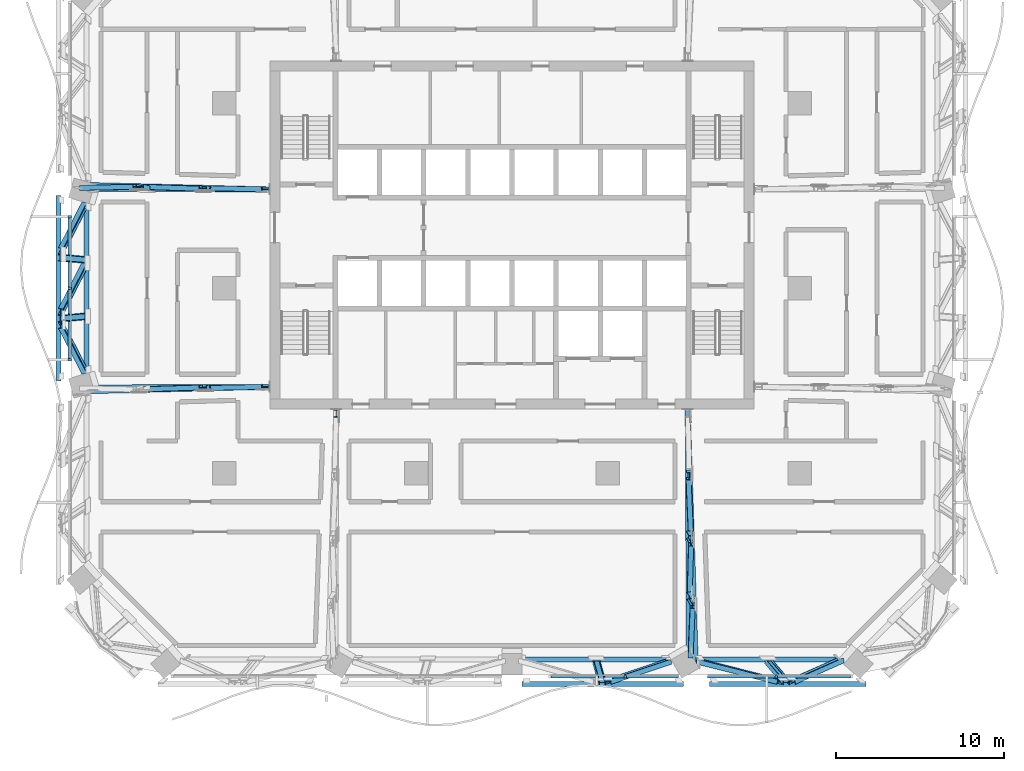
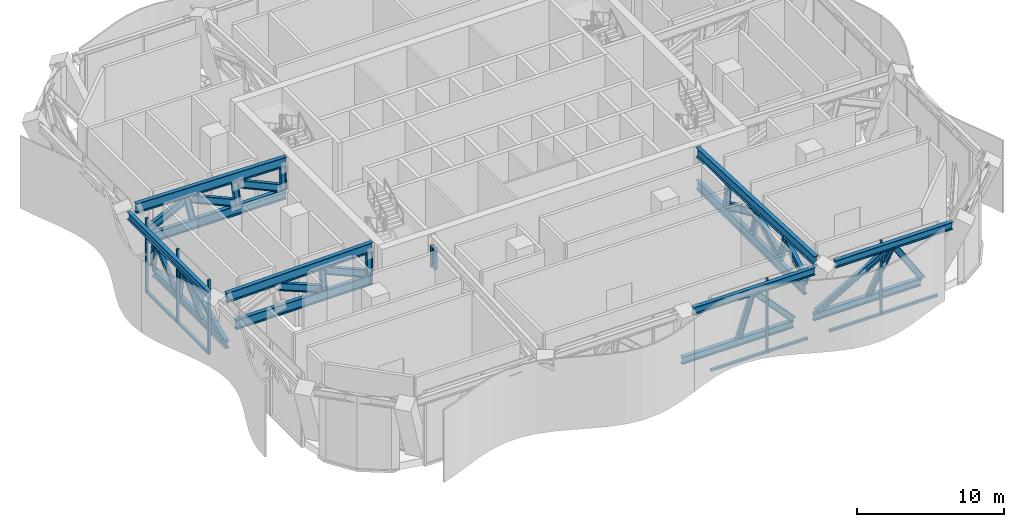
# One storey, part 3 of 26: 50 members, 2 elements without a shape of their own.
"""IFC4 building model written with IfcOpenShell, lengths in metres."""

from ifc_helpers import new_model, si_unit, direction, frame, origin, origin_2d, place, context, subcontext, project, spatial, rectangle, i_section, extrude, material, material_profile, profile_set, type_object, element, aggregate, save


model = new_model("IFC4")

# Units and contexts
model_context = context("Model", 3, precision=1e-05, world=origin(), true_north=direction((0.0, 1.0)))
body_context = subcontext(model_context, "Body", "Model", "MODEL_VIEW")
ifc_project = project(units=[si_unit("LENGTHUNIT", "METRE"), si_unit("AREAUNIT", "SQUARE_METRE"), si_unit("VOLUMEUNIT", "CUBIC_METRE"), si_unit("PLANEANGLEUNIT", "RADIAN"), si_unit("MASSUNIT", "GRAM", prefix="KILO")], contexts=[model_context])

# Site, building, storey
site_placement = place(None, origin())
site = spatial("IfcSite", under=ifc_project, at=site_placement, CompositionType="ELEMENT")
building_placement = place(site_placement, origin())
building = spatial("IfcBuilding", under=site, at=building_placement, Name="Mopane Tessera Tower", CompositionType="ELEMENT")
storey_placement = place(building_placement, frame((0.0, 0.0, 205.0)))
storey = spatial("IfcBuildingStorey", under=building, at=storey_placement, Name="L43", CompositionType="ELEMENT", Elevation=205.0)

# Curtain wall, members
ifc_material_1 = material(Name="Aluminium frame", Category="aluminium")
curtain_wall_type = type_object("IfcCurtainWallType", Name="Plant floor unitised wall", PredefinedType="NOTDEFINED", material=ifc_material_1)
curtain_wall_1_placement = place(storey_placement, origin())
curtain_wall_1 = element("IfcCurtainWall", 1, at=curtain_wall_1_placement, inside=storey, type_object=curtain_wall_type, Name="e:cw:L43:S:0", PredefinedType="NOTDEFINED")
ifc_material_2 = material(Name="Aluminium frame", Category="aluminium")
ifc_material_profile_1 = material_profile(ifc_material_2, rectangle(XDim=0.139892578125, YDim=0.199951171875, at=origin_2d()))
ifc_profile_set_1 = profile_set([ifc_material_profile_1], Name="Aluminium frame")
member_type_1 = type_object("IfcMemberType", Name="Aluminium mullion 140 x 200", PredefinedType="MULLION", material=ifc_profile_set_1)
member_1_placement = place(storey_placement, frame((6.7333984375, -23.10009765625, -0.60009765625), z_axis=(0.0, 0.0, 1.0), x_axis=(1.0, 0.0, 0.0)))
member_1 = element("IfcMember", 2, at=member_1_placement, type_object=member_type_1, Name="e:cw:L43:S:0:mu6", PredefinedType="MULLION", context=body_context, shape_type="SweptSolid", body=[
    extrude(rectangle(XDim=0.139892578125, YDim=0.199951171875, at=origin_2d()), origin(), (0.0, 0.0, 1.0), 6.2001953125),
])
member_2_placement = place(storey_placement, frame((15.711181640625, -23.10009765625, -0.60009765625), z_axis=(0.0, 0.0, 1.0), x_axis=(1.0, 0.0, 0.0)))
member_2 = element("IfcMember", 3, at=member_2_placement, type_object=member_type_1, Name="e:cw:L43:S:0:mu8", PredefinedType="MULLION", context=body_context, shape_type="SweptSolid", body=[
    extrude(rectangle(XDim=0.139892578125, YDim=0.199951171875, at=origin_2d()), origin(), (0.0, 0.0, 1.0), 6.2001953125),
])

curtain_wall_2_placement = place(storey_placement, origin())
curtain_wall_2 = element("IfcCurtainWall", 4, at=curtain_wall_2_placement, inside=storey, type_object=curtain_wall_type, Name="e:cw:L43:W:0", PredefinedType="NOTDEFINED")
member_3_placement = place(storey_placement, frame((-26.300048828125, 4.25, -0.60009765625), z_axis=(0.0, 0.0, 1.0), x_axis=(0.0, -1.0, 0.0)))
member_3 = element("IfcMember", 5, at=member_3_placement, type_object=member_type_1, Name="e:cw:L43:W:0:mu3", PredefinedType="MULLION", context=body_context, shape_type="SweptSolid", body=[
    extrude(rectangle(XDim=0.139892578125, YDim=0.199951171875, at=origin_2d()), origin(), (0.0, 0.0, 1.0), 6.2001953125),
])
member_4_placement = place(storey_placement, frame((-26.300048828125, 0.0, -0.60009765625), z_axis=(0.0, 0.0, 1.0), x_axis=(0.0, -1.0, 0.0)))
member_4 = element("IfcMember", 6, at=member_4_placement, type_object=member_type_1, Name="e:cw:L43:W:0:mu4", PredefinedType="MULLION", context=body_context, shape_type="SweptSolid", body=[
    extrude(rectangle(XDim=0.139892578125, YDim=0.199951171875, at=origin_2d()), origin(), (0.0, 0.0, 1.0), 6.2001953125),
])
member_5_placement = place(storey_placement, frame((-26.300048828125, -4.25, -0.60009765625), z_axis=(0.0, 0.0, 1.0), x_axis=(0.0, -1.0, 0.0)))
member_5 = element("IfcMember", 7, at=member_5_placement, type_object=member_type_1, Name="e:cw:L43:W:0:mu5", PredefinedType="MULLION", context=body_context, shape_type="SweptSolid", body=[
    extrude(rectangle(XDim=0.139892578125, YDim=0.199951171875, at=origin_2d()), origin(), (0.0, 0.0, 1.0), 6.2001953125),
])

# Member
ifc_material_3 = material(Name="Aluminium frame", Category="aluminium")
ifc_material_profile_2 = material_profile(ifc_material_3, rectangle(XDim=0.199951171875, YDim=0.179931640625, at=origin_2d()))
ifc_profile_set_2 = profile_set([ifc_material_profile_2], Name="Aluminium frame")
member_type_2 = type_object("IfcMemberType", Name="Aluminium transom 200 x 180", PredefinedType="USERDEFINED", material=ifc_profile_set_2)
member_6_placement = place(storey_placement, frame((2.314453125, -23.10009765625, -0.510009765625), z_axis=(1.0, 0.0, 0.0), x_axis=(0.0, 1.0, 0.0)))
member_6 = element("IfcMember", 8, at=member_6_placement, type_object=member_type_2, Name="e:cw:L43:S:0:tr5", ObjectType="TRANSOM", PredefinedType="USERDEFINED", context=body_context, shape_type="SweptSolid", body=[
    extrude(rectangle(XDim=0.199951171875, YDim=0.179931640625, at=origin_2d()), origin(), (0.0, 0.0, 1.0), 4.348876953125),
])

member_7_placement = place(storey_placement, frame((6.80322265625, -23.10009765625, -0.510009765625), z_axis=(1.0, 0.0, 0.0), x_axis=(0.0, 1.0, 0.0)))
member_7 = element("IfcMember", 9, at=member_7_placement, type_object=member_type_2, Name="e:cw:L43:S:0:tr6", ObjectType="TRANSOM", PredefinedType="USERDEFINED", context=body_context, shape_type="SweptSolid", body=[
    extrude(rectangle(XDim=0.199951171875, YDim=0.179931640625, at=origin_2d()), origin(), (0.0, 0.0, 1.0), 3.109619140625),
])

member_8_placement = place(storey_placement, frame((11.633544921875, -23.10009765625, -0.510009765625), z_axis=(1.0, 0.0, 0.0), x_axis=(0.0, 1.0, 0.0)))
member_8 = element("IfcMember", 10, at=member_8_placement, type_object=member_type_2, Name="e:cw:L43:S:0:tr7", ObjectType="TRANSOM", PredefinedType="USERDEFINED", context=body_context, shape_type="SweptSolid", body=[
    extrude(rectangle(XDim=0.199951171875, YDim=0.179931640625, at=origin_2d()), origin(), (0.0, 0.0, 1.0), 4.007568359375),
])

member_9_placement = place(storey_placement, frame((15.781005859375, -23.10009765625, -0.510009765625), z_axis=(1.0, 0.0, 0.0), x_axis=(0.0, 1.0, 0.0)))
member_9 = element("IfcMember", 11, at=member_9_placement, type_object=member_type_2, Name="e:cw:L43:S:0:tr8", ObjectType="TRANSOM", PredefinedType="USERDEFINED", context=body_context, shape_type="SweptSolid", body=[
    extrude(rectangle(XDim=0.199951171875, YDim=0.179931640625, at=origin_2d()), origin(), (0.0, 0.0, 1.0), 4.348876953125),
])

aggregate(curtain_wall_1, [member_1, member_2, member_6, member_7, member_8, member_9])

member_10_placement = place(storey_placement, frame((-26.300048828125, 4.179931640625, -0.510009765625), z_axis=(0.0, -1.0, 0.0), x_axis=(1.0, 0.0, 0.0)))
member_10 = element("IfcMember", 12, at=member_10_placement, type_object=member_type_2, Name="e:cw:L43:W:0:tr3", ObjectType="TRANSOM", PredefinedType="USERDEFINED", context=body_context, shape_type="SweptSolid", body=[
    extrude(rectangle(XDim=0.199951171875, YDim=0.179931640625, at=origin_2d()), origin(), (0.0, 0.0, 1.0), 4.10986328125),
])

member_11_placement = place(storey_placement, frame((-26.300048828125, -0.070068359375, -0.510009765625), z_axis=(0.0, -1.0, 0.0), x_axis=(1.0, 0.0, 0.0)))
member_11 = element("IfcMember", 13, at=member_11_placement, type_object=member_type_2, Name="e:cw:L43:W:0:tr4", ObjectType="TRANSOM", PredefinedType="USERDEFINED", context=body_context, shape_type="SweptSolid", body=[
    extrude(rectangle(XDim=0.199951171875, YDim=0.179931640625, at=origin_2d()), origin(), (0.0, 0.0, 1.0), 4.10986328125),
])

aggregate(curtain_wall_2, [member_3, member_4, member_5, member_10, member_11])

# Members
ifc_material_4 = material(Name="Structural steel S460", Category="steel")
ifc_material_profile_3 = material_profile(ifc_material_4, i_section(OverallWidth=0.304931640625, OverallDepth=0.6201171875, WebThickness=0.02099609375, FlangeThickness=0.0400390625, FilletRadius=0.027099609375, at=origin_2d()))
ifc_profile_set_3 = profile_set([ifc_material_profile_3], Name="Structural steel S460")
member_type_3 = type_object("IfcMemberType", Name="Belt truss chord HE 600 M", PredefinedType="CHORD", material=ifc_profile_set_3)
member_12_placement = place(storey_placement, frame((0.599609375, -22.09033203125, 0.31005859375), z_axis=(1.0, 0.0, 0.0), x_axis=(0.0, 1.0, 0.0)))
element("IfcMember", 14, at=member_12_placement, inside=storey, type_object=member_type_3, Name="Belt truss bottom chord L43 S2-S3", PredefinedType="CHORD", context=body_context, shape_type="SweptSolid", body=[
    extrude(i_section(OverallWidth=0.304931640625, OverallDepth=0.6201171875, WebThickness=0.02099609375, FlangeThickness=0.0400390625, FilletRadius=0.027099609375, at=origin_2d()), origin(), (0.0, 0.0, 1.0), 8.774658203125),
])
member_13_placement = place(storey_placement, frame((0.599609375, -23.54296875, 5.2900390625), z_axis=(1.0, 0.0, 0.0), x_axis=(0.0, 1.0, 0.0)))
element("IfcMember", 15, at=member_13_placement, inside=storey, type_object=member_type_3, Name="Belt truss top chord L43 S2-S3", PredefinedType="CHORD", context=body_context, shape_type="SweptSolid", body=[
    extrude(i_section(OverallWidth=0.304931640625, OverallDepth=0.6201171875, WebThickness=0.02099609375, FlangeThickness=0.0400390625, FilletRadius=0.027099609375, at=origin_2d()), origin(), (0.0, 0.0, 1.0), 9.6044921875),
])
member_14_placement = place(storey_placement, frame((10.929443359375, -22.09033203125, 0.31005859375), z_axis=(1.0, 0.0, 0.0), x_axis=(0.0, 1.0, 0.0)))
element("IfcMember", 16, at=member_14_placement, inside=storey, type_object=member_type_3, Name="Belt truss bottom chord L43 S3-S4", PredefinedType="CHORD", context=body_context, shape_type="SweptSolid", body=[
    extrude(i_section(OverallWidth=0.304931640625, OverallDepth=0.6201171875, WebThickness=0.02099609375, FlangeThickness=0.0400390625, FilletRadius=0.027099609375, at=origin_2d()), origin(), (0.0, 0.0, 1.0), 8.45361328125),
])
member_15_placement = place(storey_placement, frame((11.75927734375, -23.54296875, 5.2900390625), z_axis=(1.0, 0.0, 0.0), x_axis=(0.0, 1.0, 0.0)))
element("IfcMember", 17, at=member_15_placement, inside=storey, type_object=member_type_3, Name="Belt truss top chord L43 S3-S4", PredefinedType="CHORD", context=body_context, shape_type="SweptSolid", body=[
    extrude(i_section(OverallWidth=0.304931640625, OverallDepth=0.6201171875, WebThickness=0.02099609375, FlangeThickness=0.0400390625, FilletRadius=0.027099609375, at=origin_2d()), origin(), (0.0, 0.0, 1.0), 9.28369140625),
])
member_16_placement = place(storey_placement, frame((-25.30322265625, 5.02783203125, 0.31005859375), z_axis=(0.0, -1.0, 0.0), x_axis=(1.0, 0.0, 0.0)))
element("IfcMember", 18, at=member_16_placement, inside=storey, type_object=member_type_3, Name="Belt truss bottom chord L43 W1-W2", PredefinedType="CHORD", context=body_context, shape_type="SweptSolid", body=[
    extrude(i_section(OverallWidth=0.304931640625, OverallDepth=0.6201171875, WebThickness=0.02099609375, FlangeThickness=0.0400390625, FilletRadius=0.027099609375, at=origin_2d()), origin(), (0.0, 0.0, 1.0), 10.0556640625),
])
member_17_placement = place(storey_placement, frame((-26.96337890625, 5.511962890625, 5.2900390625), z_axis=(0.0, -1.0, 0.0), x_axis=(1.0, 0.0, 0.0)))
element("IfcMember", 19, at=member_17_placement, inside=storey, type_object=member_type_3, Name="Belt truss top chord L43 W1-W2", PredefinedType="CHORD", context=body_context, shape_type="SweptSolid", body=[
    extrude(i_section(OverallWidth=0.304931640625, OverallDepth=0.6201171875, WebThickness=0.02099609375, FlangeThickness=0.0400390625, FilletRadius=0.027099609375, at=origin_2d()), origin(), (0.0, 0.0, 1.0), 11.02392578125),
])
ifc_material_5 = material(Name="Structural steel S460", Category="steel")
ifc_material_profile_4 = material_profile(ifc_material_5, i_section(OverallWidth=0.300048828125, OverallDepth=0.449951171875, WebThickness=0.013916015625, FlangeThickness=0.02587890625, FilletRadius=0.027099609375, at=origin_2d()))
ifc_profile_set_4 = profile_set([ifc_material_profile_4], Name="Structural steel S460")
member_type_4 = type_object("IfcMemberType", Name="Belt truss diagonal HE 450 B", PredefinedType="BRACE", material=ifc_profile_set_4)
member_18_placement = place(storey_placement, frame((5.718994140625, -23.415771484375, 4.854248046875), z_axis=(0.64225685796, 0.214610338975, -0.735831863137), x_axis=(-0.14112011445, 0.976699750378, 0.161687077122)))
element("IfcMember", 20, at=member_18_placement, inside=storey, type_object=member_type_4, Name="Belt truss diagonal 1 L43 S2-S3", PredefinedType="BRACE", context=body_context, shape_type="SweptSolid", body=[
    extrude(i_section(OverallWidth=0.300048828125, OverallDepth=0.449951171875, WebThickness=0.013916015625, FlangeThickness=0.02587890625, FilletRadius=0.027099609375, at=origin_2d()), origin(), (0.0, 0.0, 1.0), 5.583251953125),
])
member_19_placement = place(storey_placement, frame((11.147216796875, -22.21630859375, 0.741455078125), z_axis=(0.74405429857, -0.187049994396, 0.641401200791), x_axis=(0.141659023539, 0.982350395202, 0.12214917968)))
element("IfcMember", 21, at=member_19_placement, inside=storey, type_object=member_type_4, Name="Belt truss diagonal 0 L43 S3-S4", PredefinedType="BRACE", context=body_context, shape_type="SweptSolid", body=[
    extrude(i_section(OverallWidth=0.300048828125, OverallDepth=0.449951171875, WebThickness=0.013916015625, FlangeThickness=0.02587890625, FilletRadius=0.027099609375, at=origin_2d()), origin(), (0.0, 0.0, 1.0), 6.4189453125),
])
member_20_placement = place(storey_placement, frame((16.65283203125, -23.4169921875, 4.858642578125), z_axis=(0.534125013888, 0.236708353541, -0.811590798927), x_axis=(-0.130133902201, 0.97158075081, 0.197727115374)))
element("IfcMember", 22, at=member_20_placement, inside=storey, type_object=member_type_4, Name="Belt truss diagonal 1 L43 S3-S4", PredefinedType="BRACE", context=body_context, shape_type="SweptSolid", body=[
    extrude(i_section(OverallWidth=0.300048828125, OverallDepth=0.449951171875, WebThickness=0.013916015625, FlangeThickness=0.02587890625, FilletRadius=0.027099609375, at=origin_2d()), origin(), (0.0, 0.0, 1.0), 5.421142578125),
])
member_21_placement = place(storey_placement, frame((-25.4375, 4.8974609375, 0.71240234375), z_axis=(-0.269576353856, -0.522694361897, 0.808776355665), x_axis=(0.962979017302, -0.146287345786, 0.226431942752)))
element("IfcMember", 23, at=member_21_placement, inside=storey, type_object=member_type_4, Name="Belt truss diagonal 0 L43 W1-W2", PredefinedType="BRACE", context=body_context, shape_type="SweptSolid", body=[
    extrude(i_section(OverallWidth=0.300048828125, OverallDepth=0.449951171875, WebThickness=0.013916015625, FlangeThickness=0.02587890625, FilletRadius=0.027099609375, at=origin_2d()), origin(), (0.0, 0.0, 1.0), 5.162109375),
])
member_22_placement = place(storey_placement, frame((-25.434814453125, 1.31494140625, 0.70458984375), z_axis=(-0.269185843615, -0.524775967411, 0.807557530845), x_axis=(0.963088252065, -0.146692187069, 0.225704277733)))
element("IfcMember", 24, at=member_22_placement, inside=storey, type_object=member_type_4, Name="Belt truss diagonal 1 L43 W1-W2", PredefinedType="BRACE", context=body_context, shape_type="SweptSolid", body=[
    extrude(i_section(OverallWidth=0.300048828125, OverallDepth=0.449951171875, WebThickness=0.013916015625, FlangeThickness=0.02587890625, FilletRadius=0.027099609375, at=origin_2d()), origin(), (0.0, 0.0, 1.0), 5.189697265625),
])
member_23_placement = place(storey_placement, frame((-26.8291015625, -2.19921875, 4.887451171875), z_axis=(0.269576353856, -0.522694361897, -0.808776355665), x_axis=(0.962979017302, 0.146287345786, 0.226431942752)))
element("IfcMember", 25, at=member_23_placement, inside=storey, type_object=member_type_4, Name="Belt truss diagonal 2 L43 W1-W2", PredefinedType="BRACE", context=body_context, shape_type="SweptSolid", body=[
    extrude(i_section(OverallWidth=0.300048828125, OverallDepth=0.449951171875, WebThickness=0.013916015625, FlangeThickness=0.02587890625, FilletRadius=0.027099609375, at=origin_2d()), origin(), (0.0, 0.0, 1.0), 5.162109375),
])
ifc_material_6 = material(Name="Structural steel S460", Category="steel")
ifc_material_profile_5 = material_profile(ifc_material_6, i_section(OverallWidth=0.300048828125, OverallDepth=0.39990234375, WebThickness=0.013427734375, FlangeThickness=0.02392578125, FilletRadius=0.027099609375, at=origin_2d()))
ifc_profile_set_5 = profile_set([ifc_material_profile_5], Name="Structural steel S460")
member_type_5 = type_object("IfcMemberType", Name="Belt truss post HE 400 B", PredefinedType="POST", material=ifc_profile_set_5)
member_24_placement = place(storey_placement, frame((5.01220703125, -22.180908203125, 0.6201171875), z_axis=(0.078352417784, -0.279110391122, 0.957057097667), x_axis=(0.022756629469, 0.960259021976, 0.278181139779)))
element("IfcMember", 26, at=member_24_placement, inside=storey, type_object=member_type_5, Name="Belt truss post 1 L43 S2-S3", PredefinedType="POST", context=body_context, shape_type="SweptSolid", body=[
    extrude(i_section(OverallWidth=0.300048828125, OverallDepth=0.39990234375, WebThickness=0.013427734375, FlangeThickness=0.02392578125, FilletRadius=0.027099609375, at=origin_2d()), origin(), (0.0, 0.0, 1.0), 4.555419921875),
])
member_25_placement = place(storey_placement, frame((15.2333984375, -22.180908203125, 0.6201171875), z_axis=(0.232361267944, -0.272308164593, 0.933732565918), x_axis=(0.065661907307, 0.962210088415, 0.264273077858)))
element("IfcMember", 27, at=member_25_placement, inside=storey, type_object=member_type_5, Name="Belt truss post 1 L43 S3-S4", PredefinedType="POST", context=body_context, shape_type="SweptSolid", body=[
    extrude(i_section(OverallWidth=0.300048828125, OverallDepth=0.39990234375, WebThickness=0.013427734375, FlangeThickness=0.02392578125, FilletRadius=0.027099609375, at=origin_2d()), origin(), (0.0, 0.0, 1.0), 4.669189453125),
])
for number, where, z_axis, x_axis, name in (
    (28, (-25.40673828125, 1.684814453125, 0.6201171875), (-0.316079447908, 0.027136525182, 0.948344553214), (0.948732722766, 0.008979687174, 0.315951872872), "Belt truss post 1 L43 W1-W2"),
    (29, (-25.40673828125, -1.684814453125, 0.6201171875), (-0.316079447908, -0.027136525182, 0.948344553214), (0.948732722766, -0.008979687174, 0.315951872872), "Belt truss post 2 L43 W1-W2"),
):
    element("IfcMember", number, at=place(storey_placement, frame(where, z_axis=z_axis, x_axis=x_axis)), inside=storey, type_object=member_type_5, Name=name, PredefinedType="POST", context=body_context, shape_type="SweptSolid", body=[
        extrude(i_section(OverallWidth=0.300048828125, OverallDepth=0.39990234375, WebThickness=0.013427734375, FlangeThickness=0.02392578125, FilletRadius=0.027099609375, at=origin_2d()), origin(), (0.0, 0.0, 1.0), 4.597412109375),
    ])
ifc_material_7 = material(Name="Structural steel S460", Category="steel")
ifc_material_profile_6 = material_profile(ifc_material_7, i_section(OverallWidth=0.302978515625, OverallDepth=0.81396484375, WebThickness=0.02099609375, FlangeThickness=0.0400390625, FilletRadius=0.030029296875, at=origin_2d()))
ifc_profile_set_6 = profile_set([ifc_material_profile_6], Name="Structural steel S460")
member_type_6 = type_object("IfcMemberType", Name="Outrigger truss chord HE 800 M", PredefinedType="CHORD", material=ifc_profile_set_6)
member_26_placement = place(storey_placement, frame((-14.4150390625, 5.870849609375, 2.507080078125), z_axis=(-0.99999421857, 0.003400415596, 0.0), x_axis=(-0.003400415596, -0.99999421857, 0.0)))
element("IfcMember", 30, at=member_26_placement, inside=storey, type_object=member_type_6, Name="Outrigger truss bottom chord L43 W1", PredefinedType="CHORD", context=body_context, shape_type="SweptSolid", body=[
    extrude(i_section(OverallWidth=0.302978515625, OverallDepth=0.81396484375, WebThickness=0.02099609375, FlangeThickness=0.0400390625, FilletRadius=0.030029296875, at=origin_2d()), origin(), (0.0, 0.0, 1.0), 10.76953125),
])
member_27_placement = place(storey_placement, frame((-14.4150390625, 5.871337890625, 5.193115234375), z_axis=(-0.999712224679, 0.023988910496, 0.0), x_axis=(-0.023988910496, -0.999712224679, 0.0)))
element("IfcMember", 31, at=member_27_placement, inside=storey, type_object=member_type_6, Name="Outrigger truss top chord L43 W1", PredefinedType="CHORD", context=body_context, shape_type="SweptSolid", body=[
    extrude(i_section(OverallWidth=0.302978515625, OverallDepth=0.81396484375, WebThickness=0.02099609375, FlangeThickness=0.0400390625, FilletRadius=0.030029296875, at=origin_2d()), origin(), (0.0, 0.0, 1.0), 11.67333984375),
])
member_28_placement = place(storey_placement, frame((-14.4150390625, -5.870849609375, 2.507080078125), z_axis=(-0.99999421857, -0.003400415596, 0.0), x_axis=(0.003400415596, -0.99999421857, 0.0)))
element("IfcMember", 32, at=member_28_placement, inside=storey, type_object=member_type_6, Name="Outrigger truss bottom chord L43 W2", PredefinedType="CHORD", context=body_context, shape_type="SweptSolid", body=[
    extrude(i_section(OverallWidth=0.302978515625, OverallDepth=0.81396484375, WebThickness=0.02099609375, FlangeThickness=0.0400390625, FilletRadius=0.030029296875, at=origin_2d()), origin(), (0.0, 0.0, 1.0), 10.76953125),
])
member_29_placement = place(storey_placement, frame((-14.4150390625, -5.871337890625, 5.193115234375), z_axis=(-0.999712224679, -0.023988910496, 0.0), x_axis=(0.023988910496, -0.999712224679, 0.0)))
element("IfcMember", 33, at=member_29_placement, inside=storey, type_object=member_type_6, Name="Outrigger truss top chord L43 W2", PredefinedType="CHORD", context=body_context, shape_type="SweptSolid", body=[
    extrude(i_section(OverallWidth=0.302978515625, OverallDepth=0.81396484375, WebThickness=0.02099609375, FlangeThickness=0.0400390625, FilletRadius=0.030029296875, at=origin_2d()), origin(), (0.0, 0.0, 1.0), 11.67333984375),
])
member_30_placement = place(storey_placement, frame((10.4501953125, -7.215087890625, 2.507080078125), z_axis=(0.004357695283, -0.999990505201, 0.0), x_axis=(0.999990505201, 0.004357695283, 0.0)))
element("IfcMember", 34, at=member_30_placement, inside=storey, type_object=member_type_6, Name="Outrigger truss bottom chord L43 S3", PredefinedType="CHORD", context=body_context, shape_type="SweptSolid", body=[
    extrude(i_section(OverallWidth=0.302978515625, OverallDepth=0.81396484375, WebThickness=0.02099609375, FlangeThickness=0.0400390625, FilletRadius=0.030029296875, at=origin_2d()), origin(), (0.0, 0.0, 1.0), 14.566650390625),
])
member_31_placement = place(storey_placement, frame((10.45068359375, -7.215087890625, 5.193115234375), z_axis=(0.031581775353, -0.999501171318, 0.0), x_axis=(0.999501171318, 0.031581775353, 0.0)))
element("IfcMember", 35, at=member_31_placement, inside=storey, type_object=member_type_6, Name="Outrigger truss top chord L43 S3", PredefinedType="CHORD", context=body_context, shape_type="SweptSolid", body=[
    extrude(i_section(OverallWidth=0.302978515625, OverallDepth=0.81396484375, WebThickness=0.02099609375, FlangeThickness=0.0400390625, FilletRadius=0.030029296875, at=origin_2d()), origin(), (0.0, 0.0, 1.0), 15.3525390625),
])
ifc_material_8 = material(Name="Structural steel S460", Category="steel")
ifc_material_profile_7 = material_profile(ifc_material_8, i_section(OverallWidth=0.300048828125, OverallDepth=0.60009765625, WebThickness=0.015380859375, FlangeThickness=0.030029296875, FilletRadius=0.027099609375, at=origin_2d()))
ifc_profile_set_7 = profile_set([ifc_material_profile_7], Name="Structural steel S460")
member_type_7 = type_object("IfcMemberType", Name="Outrigger truss diagonal HE 600 B", PredefinedType="BRACE", material=ifc_profile_set_7)
member_32_placement = place(storey_placement, frame((-14.9677734375, 5.8759765625, 3.16748046875), z_axis=(-0.913549193723, 0.019256326466, 0.406272155751), x_axis=(-0.018145929553, -0.999813660308, 0.006585582837)))
element("IfcMember", 36, at=member_32_placement, inside=storey, type_object=member_type_7, Name="Outrigger truss diagonal 0 L43 W1", PredefinedType="BRACE", context=body_context, shape_type="SweptSolid", body=[
    extrude(i_section(OverallWidth=0.300048828125, OverallDepth=0.60009765625, WebThickness=0.015380859375, FlangeThickness=0.030029296875, FilletRadius=0.027099609375, at=origin_2d()), origin(), (0.0, 0.0, 1.0), 3.35986328125),
])
member_33_placement = place(storey_placement, frame((-18.549072265625, 5.9072265625, 3.16748046875), z_axis=(-0.919696148503, 0.030108058154, 0.391474774746), x_axis=(-0.028224822525, -0.999545761781, 0.010565486265)))
element("IfcMember", 37, at=member_33_placement, inside=storey, type_object=member_type_7, Name="Outrigger truss diagonal 1 L43 W1", PredefinedType="BRACE", context=body_context, shape_type="SweptSolid", body=[
    extrude(i_section(OverallWidth=0.300048828125, OverallDepth=0.60009765625, WebThickness=0.015380859375, FlangeThickness=0.030029296875, FilletRadius=0.027099609375, at=origin_2d()), origin(), (0.0, 0.0, 1.0), 3.48681640625),
])
member_34_placement = place(storey_placement, frame((-22.415771484375, 6.0244140625, 4.527099609375), z_axis=(-0.904625953509, -0.019337315433, -0.425767486393), x_axis=(0.016879154357, -0.999811966745, 0.009545957359)))
element("IfcMember", 38, at=member_34_placement, inside=storey, type_object=member_type_7, Name="Outrigger truss diagonal 2 L43 W1", PredefinedType="BRACE", context=body_context, shape_type="SweptSolid", body=[
    extrude(i_section(OverallWidth=0.300048828125, OverallDepth=0.60009765625, WebThickness=0.015380859375, FlangeThickness=0.030029296875, FilletRadius=0.027099609375, at=origin_2d()), origin(), (0.0, 0.0, 1.0), 3.5224609375),
])
member_35_placement = place(storey_placement, frame((-14.9677734375, -5.8759765625, 3.16748046875), z_axis=(-0.913549193723, -0.019256326466, 0.406272155751), x_axis=(0.018145929553, -0.999813660308, -0.006585582837)))
element("IfcMember", 39, at=member_35_placement, inside=storey, type_object=member_type_7, Name="Outrigger truss diagonal 0 L43 W2", PredefinedType="BRACE", context=body_context, shape_type="SweptSolid", body=[
    extrude(i_section(OverallWidth=0.300048828125, OverallDepth=0.60009765625, WebThickness=0.015380859375, FlangeThickness=0.030029296875, FilletRadius=0.027099609375, at=origin_2d()), origin(), (0.0, 0.0, 1.0), 3.35986328125),
])
member_36_placement = place(storey_placement, frame((-18.549072265625, -5.9072265625, 3.16748046875), z_axis=(-0.919696148503, -0.030108058154, 0.391474774746), x_axis=(0.028224822525, -0.999545761781, -0.010565486265)))
element("IfcMember", 40, at=member_36_placement, inside=storey, type_object=member_type_7, Name="Outrigger truss diagonal 1 L43 W2", PredefinedType="BRACE", context=body_context, shape_type="SweptSolid", body=[
    extrude(i_section(OverallWidth=0.300048828125, OverallDepth=0.60009765625, WebThickness=0.015380859375, FlangeThickness=0.030029296875, FilletRadius=0.027099609375, at=origin_2d()), origin(), (0.0, 0.0, 1.0), 3.48681640625),
])
member_37_placement = place(storey_placement, frame((10.49755859375, -11.390869140625, 3.16943359375), z_axis=(0.039821937393, -0.918375779566, 0.393700572527), x_axis=(0.999205294115, 0.037282733648, -0.014098864655)))
element("IfcMember", 41, at=member_37_placement, inside=storey, type_object=member_type_7, Name="Outrigger truss diagonal 1 L43 S3", PredefinedType="BRACE", context=body_context, shape_type="SweptSolid", body=[
    extrude(i_section(OverallWidth=0.300048828125, OverallDepth=0.60009765625, WebThickness=0.015380859375, FlangeThickness=0.030029296875, FilletRadius=0.027099609375, at=origin_2d()), origin(), (0.0, 0.0, 1.0), 3.457763671875),
])
member_38_placement = place(storey_placement, frame((10.651611328125, -15.21826171875, 4.53076171875), z_axis=(-0.025344980084, -0.898844417519, -0.437534393024), x_axis=(0.999676916775, -0.021946994319, -0.012821525143)))
element("IfcMember", 42, at=member_38_placement, inside=storey, type_object=member_type_7, Name="Outrigger truss diagonal 2 L43 S3", PredefinedType="BRACE", context=body_context, shape_type="SweptSolid", body=[
    extrude(i_section(OverallWidth=0.300048828125, OverallDepth=0.60009765625, WebThickness=0.015380859375, FlangeThickness=0.030029296875, FilletRadius=0.027099609375, at=origin_2d()), origin(), (0.0, 0.0, 1.0), 3.111328125),
])
member_39_placement = place(storey_placement, frame((10.744140625, -18.92919921875, 4.525634765625), z_axis=(-0.039050681317, -0.908679315251, -0.415664463629), x_axis=(0.999235576498, -0.034754533614, -0.01789930317)))
element("IfcMember", 43, at=member_39_placement, inside=storey, type_object=member_type_7, Name="Outrigger truss diagonal 3 L43 S3", PredefinedType="BRACE", context=body_context, shape_type="SweptSolid", body=[
    extrude(i_section(OverallWidth=0.300048828125, OverallDepth=0.60009765625, WebThickness=0.015380859375, FlangeThickness=0.030029296875, FilletRadius=0.027099609375, at=origin_2d()), origin(), (0.0, 0.0, 1.0), 3.2509765625),
])
ifc_material_9 = material(Name="Structural steel S460", Category="steel")
ifc_material_profile_8 = material_profile(ifc_material_9, i_section(OverallWidth=0.300048828125, OverallDepth=0.449951171875, WebThickness=0.013916015625, FlangeThickness=0.02587890625, FilletRadius=0.027099609375, at=origin_2d()))
ifc_profile_set_8 = profile_set([ifc_material_profile_8], Name="Structural steel S460")
member_type_8 = type_object("IfcMemberType", Name="Outrigger truss post HE 450 B", PredefinedType="POST", material=ifc_profile_set_8)
member_40_placement = place(storey_placement, frame((-14.642822265625, 5.87255859375, 2.9140625), z_axis=(-0.006912564535, 0.001956386189, 0.999974194169), x_axis=(0.004536800227, -0.999987733023, 0.001987774411)))
element("IfcMember", 44, at=member_40_placement, inside=storey, type_object=member_type_8, Name="Outrigger truss post 0 L43 W1", PredefinedType="POST", context=body_context, shape_type="SweptSolid", body=[
    extrude(i_section(OverallWidth=0.300048828125, OverallDepth=0.449951171875, WebThickness=0.013916015625, FlangeThickness=0.02587890625, FilletRadius=0.027099609375, at=origin_2d()), origin(), (0.0, 0.0, 1.0), 1.871826171875),
])
member_41_placement = place(storey_placement, frame((-18.19873046875, 5.896484375, 2.9140625), z_axis=(-0.106806504577, 0.031108690654, 0.993793046839), x_axis=(-0.006358663984, -0.999511352649, 0.030604302271)))
element("IfcMember", 45, at=member_41_placement, inside=storey, type_object=member_type_8, Name="Outrigger truss post 1 L43 W1", PredefinedType="POST", context=body_context, shape_type="SweptSolid", body=[
    extrude(i_section(OverallWidth=0.300048828125, OverallDepth=0.449951171875, WebThickness=0.013916015625, FlangeThickness=0.02587890625, FilletRadius=0.027099609375, at=origin_2d()), origin(), (0.0, 0.0, 1.0), 1.883544921875),
])
member_42_placement = place(storey_placement, frame((-21.75439453125, 5.92041015625, 2.9140625), z_axis=(-0.203560060069, 0.059270775161, 0.977266737977), x_axis=(-0.014947584974, -0.99823767882, 0.057429141444)))
element("IfcMember", 46, at=member_42_placement, inside=storey, type_object=member_type_8, Name="Outrigger truss post 2 L43 W1", PredefinedType="POST", context=body_context, shape_type="SweptSolid", body=[
    extrude(i_section(OverallWidth=0.300048828125, OverallDepth=0.449951171875, WebThickness=0.013916015625, FlangeThickness=0.02587890625, FilletRadius=0.027099609375, at=origin_2d()), origin(), (0.0, 0.0, 1.0), 1.915283203125),
])
member_43_placement = place(storey_placement, frame((-14.642822265625, -5.87255859375, 2.9140625), z_axis=(-0.006912564535, -0.001956386189, 0.999974194169), x_axis=(-0.004536800227, -0.999987733023, -0.001987774411)))
element("IfcMember", 47, at=member_43_placement, inside=storey, type_object=member_type_8, Name="Outrigger truss post 0 L43 W2", PredefinedType="POST", context=body_context, shape_type="SweptSolid", body=[
    extrude(i_section(OverallWidth=0.300048828125, OverallDepth=0.449951171875, WebThickness=0.013916015625, FlangeThickness=0.02587890625, FilletRadius=0.027099609375, at=origin_2d()), origin(), (0.0, 0.0, 1.0), 1.871826171875),
])
member_44_placement = place(storey_placement, frame((-18.19873046875, -5.896484375, 2.9140625), z_axis=(-0.106806504577, -0.031108690654, 0.993793046839), x_axis=(0.006358663984, -0.999511352649, -0.030604302271)))
element("IfcMember", 48, at=member_44_placement, inside=storey, type_object=member_type_8, Name="Outrigger truss post 1 L43 W2", PredefinedType="POST", context=body_context, shape_type="SweptSolid", body=[
    extrude(i_section(OverallWidth=0.300048828125, OverallDepth=0.449951171875, WebThickness=0.013916015625, FlangeThickness=0.02587890625, FilletRadius=0.027099609375, at=origin_2d()), origin(), (0.0, 0.0, 1.0), 1.883544921875),
])
member_45_placement = place(storey_placement, frame((-10.4521484375, -7.44189453125, 2.9140625), z_axis=(-0.00260854618, -0.004564955816, 0.999986178237), x_axis=(0.999987060879, -0.004379206021, 0.002588557324)))
element("IfcMember", 49, at=member_45_placement, inside=storey, type_object=member_type_8, Name="Outrigger truss post 0 L43 S1", PredefinedType="POST", context=body_context, shape_type="SweptSolid", body=[
    extrude(i_section(OverallWidth=0.300048828125, OverallDepth=0.449951171875, WebThickness=0.013916015625, FlangeThickness=0.02587890625, FilletRadius=0.027099609375, at=origin_2d()), origin(), (0.0, 0.0, 1.0), 1.871826171875),
])
member_46_placement = place(storey_placement, frame((10.4833984375, -11.0546875, 2.9140625), z_axis=(0.040945115877, -0.071621456661, 0.996591121991), x_axis=(0.999151038275, 0.007476831803, -0.040512957184)))
element("IfcMember", 50, at=member_46_placement, inside=storey, type_object=member_type_8, Name="Outrigger truss post 1 L43 S3", PredefinedType="POST", context=body_context, shape_type="SweptSolid", body=[
    extrude(i_section(OverallWidth=0.300048828125, OverallDepth=0.449951171875, WebThickness=0.013916015625, FlangeThickness=0.02587890625, FilletRadius=0.027099609375, at=origin_2d()), origin(), (0.0, 0.0, 1.0), 1.878173828125),
])
member_47_placement = place(storey_placement, frame((10.514892578125, -14.66748046875, 2.9140625), z_axis=(0.078558768486, -0.137413452417, 0.987393570462), x_axis=(0.996899217245, 0.015323529537, -0.077182511609)))
element("IfcMember", 51, at=member_47_placement, inside=storey, type_object=member_type_8, Name="Outrigger truss post 2 L43 S3", PredefinedType="POST", context=body_context, shape_type="SweptSolid", body=[
    extrude(i_section(OverallWidth=0.300048828125, OverallDepth=0.449951171875, WebThickness=0.013916015625, FlangeThickness=0.02587890625, FilletRadius=0.027099609375, at=origin_2d()), origin(), (0.0, 0.0, 1.0), 1.895751953125),
])
member_48_placement = place(storey_placement, frame((10.546142578125, -18.280029296875, 2.9140625), z_axis=(0.114832395145, -0.200988413159, 0.972839749805), x_axis=(0.993376001059, 0.027374174114, -0.111600963762)))
element("IfcMember", 52, at=member_48_placement, inside=storey, type_object=member_type_8, Name="Outrigger truss post 3 L43 S3", PredefinedType="POST", context=body_context, shape_type="SweptSolid", body=[
    extrude(i_section(OverallWidth=0.300048828125, OverallDepth=0.449951171875, WebThickness=0.013916015625, FlangeThickness=0.02587890625, FilletRadius=0.027099609375, at=origin_2d()), origin(), (0.0, 0.0, 1.0), 1.924072265625),
])

save(model, "model.ifc")
